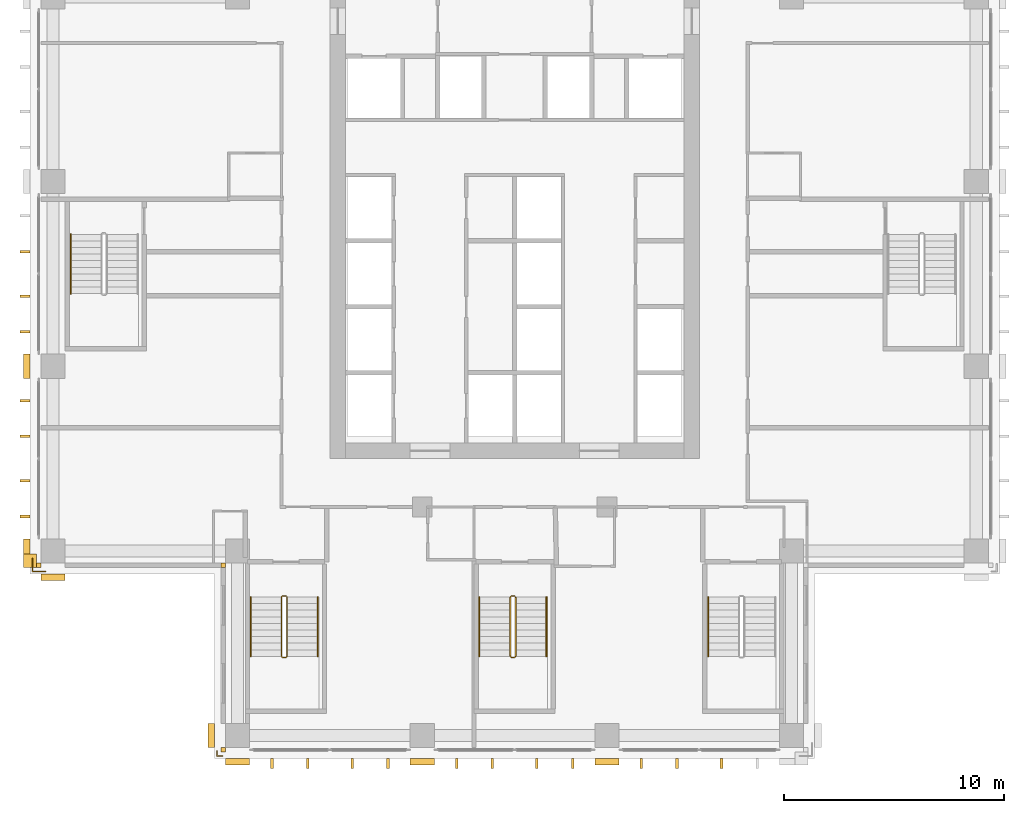
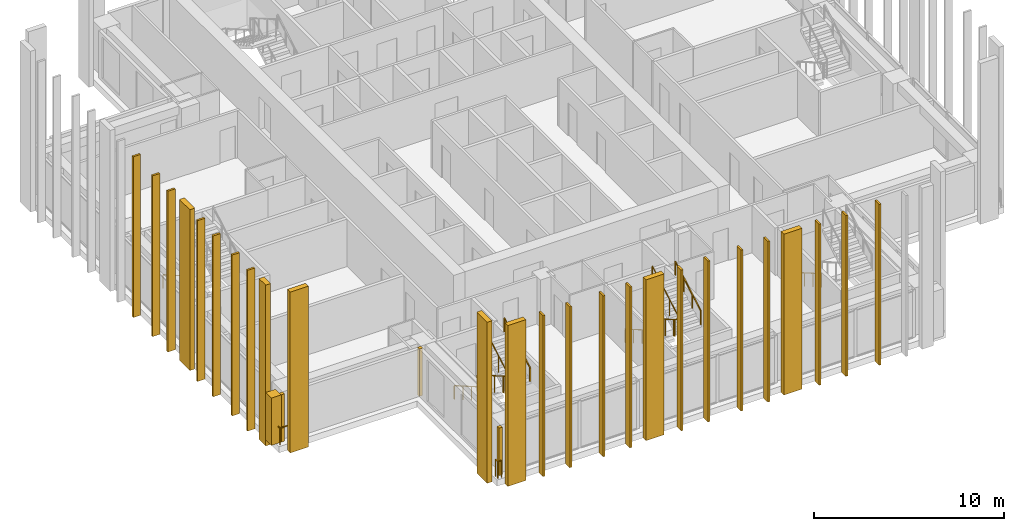
# One storey, part 14 of 16: 29 coverings, 10 railings.
"""IFC4 building model written with IfcOpenShell, lengths in metres."""

from ifc_helpers import new_model, si_unit, direction, frame, origin, origin_2d, place, context, subcontext, project, spatial, polyline, rectangle, outline, extrude, material, layer, layer_set, type_object, element, save


model = new_model("IFC4")

# Units and contexts
model_context = context("Model", 3, precision=1e-05, world=origin(), true_north=direction((0.0, 1.0)))
body_context = subcontext(model_context, "Body", "Model", "MODEL_VIEW")
ifc_project = project(units=[si_unit("LENGTHUNIT", "METRE"), si_unit("AREAUNIT", "SQUARE_METRE"), si_unit("VOLUMEUNIT", "CUBIC_METRE"), si_unit("PLANEANGLEUNIT", "RADIAN"), si_unit("MASSUNIT", "GRAM", prefix="KILO")], contexts=[model_context])

# Site, building, storey
site_placement = place(None, origin())
site = spatial("IfcSite", under=ifc_project, at=site_placement, CompositionType="ELEMENT")
building_placement = place(site_placement, origin())
building = spatial("IfcBuilding", under=site, at=building_placement, Name="Vermilion Ogive Tower", CompositionType="ELEMENT")
storey_placement = place(building_placement, frame((0.0, 0.0, 133.10009765625)))
storey = spatial("IfcBuildingStorey", under=building, at=storey_placement, Name="L33", CompositionType="ELEMENT", Elevation=133.10009765625)

# Coverings
ifc_material_1 = material(Name="Glazed ceramic screen")
ifc_layer = layer(ifc_material_1, 0.14990234375)
ifc_layer_set = layer_set([ifc_layer], Name="Ceramic solar screen fin")
covering_type_1 = type_object("IfcCoveringType", Name="Ceramic solar screen fin", PredefinedType="CLADDING", material=ifc_layer_set)
covering_1_placement = place(storey_placement, frame((0.0, 0.0, -0.400146484375)))
element("IfcCovering", 1, at=covering_1_placement, inside=storey, type_object=covering_type_1, Name="Solar screen blade S971", PredefinedType="CLADDING", context=body_context, shape_type="SweptSolid", body=[
    extrude(outline(polyline([(-11.097412109375, -22.5), (-10.9775390625, -22.5), (-10.9775390625, -22.050048828125), (-11.097412109375, -22.050048828125), (-11.097412109375, -22.5)])), origin(), (0.0, 0.0, 1.0), 10.35009765625),
])
covering_2_placement = place(storey_placement, frame((0.0, 0.0, -0.400146484375)))
element("IfcCovering", 2, at=covering_2_placement, inside=storey, type_object=covering_type_1, Name="Solar screen blade S972", PredefinedType="CLADDING", context=body_context, shape_type="SweptSolid", body=[
    extrude(outline(polyline([(-9.472412109375, -22.5), (-9.3525390625, -22.5), (-9.3525390625, -22.050048828125), (-9.472412109375, -22.050048828125), (-9.472412109375, -22.5)])), origin(), (0.0, 0.0, 1.0), 10.35009765625),
])
covering_3_placement = place(storey_placement, frame((0.0, 0.0, -0.400146484375)))
element("IfcCovering", 3, at=covering_3_placement, inside=storey, type_object=covering_type_1, Name="Solar screen blade S981", PredefinedType="CLADDING", context=body_context, shape_type="SweptSolid", body=[
    extrude(outline(polyline([(-7.447509765625, -22.5), (-7.327392578125, -22.5), (-7.327392578125, -22.050048828125), (-7.447509765625, -22.050048828125), (-7.447509765625, -22.5)])), origin(), (0.0, 0.0, 1.0), 10.35009765625),
])
covering_4_placement = place(storey_placement, frame((0.0, 0.0, -0.400146484375)))
element("IfcCovering", 4, at=covering_4_placement, inside=storey, type_object=covering_type_1, Name="Solar screen blade S982", PredefinedType="CLADDING", context=body_context, shape_type="SweptSolid", body=[
    extrude(outline(polyline([(-5.822509765625, -22.5), (-5.702392578125, -22.5), (-5.702392578125, -22.050048828125), (-5.822509765625, -22.050048828125), (-5.822509765625, -22.5)])), origin(), (0.0, 0.0, 1.0), 10.35009765625),
])
covering_5_placement = place(storey_placement, frame((0.0, 0.0, -0.400146484375)))
element("IfcCovering", 5, at=covering_5_placement, inside=storey, type_object=covering_type_1, Name="Solar screen blade S991", PredefinedType="CLADDING", context=body_context, shape_type="SweptSolid", body=[
    extrude(outline(polyline([(-2.697509765625, -22.5), (-2.577392578125, -22.5), (-2.577392578125, -22.050048828125), (-2.697509765625, -22.050048828125), (-2.697509765625, -22.5)])), origin(), (0.0, 0.0, 1.0), 10.35009765625),
])
covering_6_placement = place(storey_placement, frame((0.0, 0.0, -0.400146484375)))
element("IfcCovering", 6, at=covering_6_placement, inside=storey, type_object=covering_type_1, Name="Solar screen blade S992", PredefinedType="CLADDING", context=body_context, shape_type="SweptSolid", body=[
    extrude(outline(polyline([(-1.072509765625, -22.5), (-0.952392578125, -22.5), (-0.952392578125, -22.050048828125), (-1.072509765625, -22.050048828125), (-1.072509765625, -22.5)])), origin(), (0.0, 0.0, 1.0), 10.35009765625),
])
covering_7_placement = place(storey_placement, frame((0.0, 0.0, -0.400146484375)))
element("IfcCovering", 7, at=covering_7_placement, inside=storey, type_object=covering_type_1, Name="Solar screen blade S001", PredefinedType="CLADDING", context=body_context, shape_type="SweptSolid", body=[
    extrude(outline(polyline([(0.952392578125, -22.5), (1.072509765625, -22.5), (1.072509765625, -22.050048828125), (0.952392578125, -22.050048828125), (0.952392578125, -22.5)])), origin(), (0.0, 0.0, 1.0), 10.35009765625),
])
covering_8_placement = place(storey_placement, frame((0.0, 0.0, -0.400146484375)))
element("IfcCovering", 8, at=covering_8_placement, inside=storey, type_object=covering_type_1, Name="Solar screen blade S002", PredefinedType="CLADDING", context=body_context, shape_type="SweptSolid", body=[
    extrude(outline(polyline([(2.577392578125, -22.5), (2.697509765625, -22.5), (2.697509765625, -22.050048828125), (2.577392578125, -22.050048828125), (2.577392578125, -22.5)])), origin(), (0.0, 0.0, 1.0), 10.35009765625),
])
covering_9_placement = place(storey_placement, frame((0.0, 0.0, -0.400146484375)))
element("IfcCovering", 9, at=covering_9_placement, inside=storey, type_object=covering_type_1, Name="Solar screen blade S011", PredefinedType="CLADDING", context=body_context, shape_type="SweptSolid", body=[
    extrude(outline(polyline([(5.702392578125, -22.5), (5.822509765625, -22.5), (5.822509765625, -22.050048828125), (5.702392578125, -22.050048828125), (5.702392578125, -22.5)])), origin(), (0.0, 0.0, 1.0), 10.35009765625),
])
covering_10_placement = place(storey_placement, frame((0.0, 0.0, -0.400146484375)))
element("IfcCovering", 10, at=covering_10_placement, inside=storey, type_object=covering_type_1, Name="Solar screen blade S012", PredefinedType="CLADDING", context=body_context, shape_type="SweptSolid", body=[
    extrude(outline(polyline([(7.327392578125, -22.5), (7.447509765625, -22.5), (7.447509765625, -22.050048828125), (7.327392578125, -22.050048828125), (7.327392578125, -22.5)])), origin(), (0.0, 0.0, 1.0), 10.35009765625),
])
covering_11_placement = place(storey_placement, frame((0.0, 0.0, -0.400146484375)))
element("IfcCovering", 11, at=covering_11_placement, inside=storey, type_object=covering_type_1, Name="Solar screen blade S021", PredefinedType="CLADDING", context=body_context, shape_type="SweptSolid", body=[
    extrude(outline(polyline([(9.3525390625, -22.5), (9.472412109375, -22.5), (9.472412109375, -22.050048828125), (9.3525390625, -22.050048828125), (9.3525390625, -22.5)])), origin(), (0.0, 0.0, 1.0), 10.35009765625),
])
covering_12_placement = place(storey_placement, frame((0.0, 0.0, -0.400146484375)))
element("IfcCovering", 12, at=covering_12_placement, inside=storey, type_object=covering_type_1, Name="Solar screen blade W991", PredefinedType="CLADDING", context=body_context, shape_type="SweptSolid", body=[
    extrude(outline(polyline([(-22.5, -0.952392578125), (-22.5, -1.072509765625), (-22.050048828125, -1.072509765625), (-22.050048828125, -0.952392578125), (-22.5, -0.952392578125)])), origin(), (0.0, 0.0, 1.0), 10.35009765625),
])
covering_13_placement = place(storey_placement, frame((0.0, 0.0, -0.400146484375)))
element("IfcCovering", 13, at=covering_13_placement, inside=storey, type_object=covering_type_1, Name="Solar screen blade W992", PredefinedType="CLADDING", context=body_context, shape_type="SweptSolid", body=[
    extrude(outline(polyline([(-22.5, -2.577392578125), (-22.5, -2.697509765625), (-22.050048828125, -2.697509765625), (-22.050048828125, -2.577392578125), (-22.5, -2.577392578125)])), origin(), (0.0, 0.0, 1.0), 10.35009765625),
])
covering_14_placement = place(storey_placement, frame((0.0, 0.0, -0.400146484375)))
element("IfcCovering", 14, at=covering_14_placement, inside=storey, type_object=covering_type_1, Name="Solar screen blade W002", PredefinedType="CLADDING", context=body_context, shape_type="SweptSolid", body=[
    extrude(outline(polyline([(-22.5, 1.072509765625), (-22.5, 0.952392578125), (-22.050048828125, 0.952392578125), (-22.050048828125, 1.072509765625), (-22.5, 1.072509765625)])), origin(), (0.0, 0.0, 1.0), 10.35009765625),
])
covering_15_placement = place(storey_placement, frame((0.0, 0.0, -0.400146484375)))
element("IfcCovering", 15, at=covering_15_placement, inside=storey, type_object=covering_type_1, Name="Solar screen blade W971", PredefinedType="CLADDING", context=body_context, shape_type="SweptSolid", body=[
    extrude(outline(polyline([(-22.5, -9.3525390625), (-22.5, -9.472412109375), (-22.050048828125, -9.472412109375), (-22.050048828125, -9.3525390625), (-22.5, -9.3525390625)])), origin(), (0.0, 0.0, 1.0), 10.35009765625),
])
covering_16_placement = place(storey_placement, frame((0.0, 0.0, -0.400146484375)))
element("IfcCovering", 16, at=covering_16_placement, inside=storey, type_object=covering_type_1, Name="Solar screen blade W972", PredefinedType="CLADDING", context=body_context, shape_type="SweptSolid", body=[
    extrude(outline(polyline([(-22.5, -10.9775390625), (-22.5, -11.097412109375), (-22.050048828125, -11.097412109375), (-22.050048828125, -10.9775390625), (-22.5, -10.9775390625)])), origin(), (0.0, 0.0, 1.0), 10.35009765625),
])
covering_17_placement = place(storey_placement, frame((0.0, 0.0, -0.400146484375)))
element("IfcCovering", 17, at=covering_17_placement, inside=storey, type_object=covering_type_1, Name="Solar screen blade W981", PredefinedType="CLADDING", context=body_context, shape_type="SweptSolid", body=[
    extrude(outline(polyline([(-22.5, -5.702392578125), (-22.5, -5.822509765625), (-22.050048828125, -5.822509765625), (-22.050048828125, -5.702392578125), (-22.5, -5.702392578125)])), origin(), (0.0, 0.0, 1.0), 10.35009765625),
])
covering_18_placement = place(storey_placement, frame((0.0, 0.0, -0.400146484375)))
element("IfcCovering", 18, at=covering_18_placement, inside=storey, type_object=covering_type_1, Name="Solar screen blade W982", PredefinedType="CLADDING", context=body_context, shape_type="SweptSolid", body=[
    extrude(outline(polyline([(-22.5, -7.327392578125), (-22.5, -7.447509765625), (-22.050048828125, -7.447509765625), (-22.050048828125, -7.327392578125), (-22.5, -7.327392578125)])), origin(), (0.0, 0.0, 1.0), 10.35009765625),
])

# Railings
ifc_material_2 = material(Name="Stainless steel", Category="steel")
railing_type_1 = type_object("IfcRailingType", Name="Slab edge guard SG1", PredefinedType="GUARDRAIL", material=ifc_material_2)
railing_1_placement = place(storey_placement, frame((-13.300048828125, -21.929931640625, 0.0)))
element("IfcRailing", 19, at=railing_1_placement, inside=storey, type_object=railing_type_1, Name="L33 slab corner guard", PredefinedType="GUARDRAIL", context=body_context, shape_type="SweptSolid", body=[
    extrude(rectangle(XDim=0.050048828125, YDim=0.050048828125, at=origin_2d()), frame((0.0, 0.0, 1.0751953125), z_axis=(-1.0, 0.0, 0.0), x_axis=(0.0, -1.0, 0.0)), (0.0, 0.0, 1.0), 0.22998046875),
    extrude(rectangle(XDim=0.050048828125, YDim=0.050048828125, at=origin_2d()), frame((-0.22998046875, 0.0, 1.0751953125), z_axis=(0.0, 1.0, 0.0), x_axis=(-1.0, 0.0, 0.0)), (0.0, 0.0, 1.0), 0.22998046875),
    extrude(rectangle(XDim=0.050048828125, YDim=0.050048828125, at=origin_2d()), origin(), (0.0, 0.0, 1.0), 1.050048828125),
    extrude(rectangle(XDim=0.050048828125, YDim=0.050048828125, at=origin_2d()), frame((-0.22998046875, 0.0, 0.0)), (0.0, 0.0, 1.0), 1.050048828125),
    extrude(rectangle(XDim=0.050048828125, YDim=0.050048828125, at=origin_2d()), frame((-0.22998046875, 0.22998046875, 0.0)), (0.0, 0.0, 1.0), 1.050048828125),
])
railing_2_placement = place(storey_placement, frame((-21.929931640625, -12.949951171875, 0.0)))
element("IfcRailing", 20, at=railing_2_placement, inside=storey, type_object=railing_type_1, Name="L33 slab corner guard", PredefinedType="GUARDRAIL", context=body_context, shape_type="SweptSolid", body=[
    extrude(rectangle(XDim=0.050048828125, YDim=0.050048828125, at=origin_2d()), frame((0.0, 0.0, 1.0751953125), z_axis=(0.0, -1.0, 0.0), x_axis=(1.0, 0.0, 0.0)), (0.0, 0.0, 1.0), 0.580078125),
    extrude(rectangle(XDim=0.050048828125, YDim=0.050048828125, at=origin_2d()), frame((0.0, -0.580078125, 1.0751953125), z_axis=(1.0, 0.0, 0.0), x_axis=(0.0, 1.0, 0.0)), (0.0, 0.0, 1.0), 0.579833984375),
    extrude(rectangle(XDim=0.050048828125, YDim=0.050048828125, at=origin_2d()), origin(), (0.0, 0.0, 1.0), 1.050048828125),
    extrude(rectangle(XDim=0.050048828125, YDim=0.050048828125, at=origin_2d()), frame((0.0, -0.580078125, 0.0)), (0.0, 0.0, 1.0), 1.050048828125),
    extrude(rectangle(XDim=0.050048828125, YDim=0.050048828125, at=origin_2d()), frame((0.579833984375, -0.580078125, 0.0)), (0.0, 0.0, 1.0), 1.050048828125),
])
ifc_material_3 = material(Name="Steel S355 painted", Category="steel")
railing_type_2 = type_object("IfcRailingType", Name="Stair guard 1100", PredefinedType="GUARDRAIL", material=ifc_material_3)
railing_3_placement = place(storey_placement, frame((-10.39990234375, -14.64990234375, 0.0)))
element("IfcRailing", 21, at=railing_3_placement, inside=storey, type_object=railing_type_2, Name="L33 ST3 stair guard 4", PredefinedType="GUARDRAIL", context=body_context, shape_type="SweptSolid", body=[
    extrude(rectangle(XDim=0.048095703125, YDim=0.048095703125, at=origin_2d()), frame((0.0, 0.0, 1.076171875), z_axis=(-1.0, 0.0, 0.0), x_axis=(0.0, -1.0, 0.0)), (0.0, 0.0, 1.0), 0.150146484375),
    extrude(rectangle(XDim=0.048095703125, YDim=0.048095703125, at=origin_2d()), frame((-0.150146484375, 0.0, 1.076171875), z_axis=(-0.268603158521, -0.268603158521, 0.925043072762), x_axis=(0.707106781187, -0.707106781187, 0.0)), (0.0, 0.0, 1.0), 0.186279296875),
    extrude(rectangle(XDim=0.048095703125, YDim=0.048095703125, at=origin_2d()), frame((-0.2001953125, -0.050048828125, 1.24853515625), z_axis=(0.0, -0.866903762492, 0.498475542607), x_axis=(1.0, 0.0, 0.0)), (0.0, 0.0, 1.0), 3.114501953125),
    extrude(rectangle(XDim=0.048095703125, YDim=0.048095703125, at=origin_2d()), frame((-0.2001953125, -2.75, 2.80078125), z_axis=(0.707106781187, -0.707106781187, 0.0), x_axis=(0.707106781187, 0.707106781187, 0.0)), (0.0, 0.0, 1.0), 0.07080078125),
    extrude(rectangle(XDim=0.048095703125, YDim=0.048095703125, at=origin_2d()), frame((-0.150146484375, -2.800048828125, 2.80078125), z_axis=(1.0, 0.0, 0.0), x_axis=(0.0, 1.0, 0.0)), (0.0, 0.0, 1.0), 0.150146484375),
    extrude(rectangle(XDim=0.048095703125, YDim=0.048095703125, at=origin_2d()), frame((0.0, -2.800048828125, 2.80078125), z_axis=(0.267062837333, 0.268371968888, 0.925556009775), x_axis=(-0.708833529934, 0.705375805398, 0.0)), (0.0, 0.0, 1.0), 0.1865234375),
    extrude(rectangle(XDim=0.048095703125, YDim=0.048095703125, at=origin_2d()), frame((0.0498046875, -2.75, 2.9736328125), z_axis=(0.0, 0.866903762492, 0.498475542607), x_axis=(-1.0, 0.0, 0.0)), (0.0, 0.0, 1.0), 3.114501953125),
    extrude(rectangle(XDim=0.0419921875, YDim=0.0419921875, at=origin_2d()), origin(), (0.0, 0.0, 1.0), 1.052001953125),
    extrude(rectangle(XDim=0.0419921875, YDim=0.0419921875, at=origin_2d()), frame((-0.150146484375, 0.0, 0.0)), (0.0, 0.0, 1.0), 1.052001953125),
    extrude(rectangle(XDim=0.0419921875, YDim=0.0419921875, at=origin_2d()), frame((-0.2001953125, -0.050048828125, 0.17236328125)), (0.0, 0.0, 1.0), 1.052001953125),
    extrude(rectangle(XDim=0.0419921875, YDim=0.0419921875, at=origin_2d()), frame((-0.2001953125, -0.949951171875, 0.68994140625)), (0.0, 0.0, 1.0), 1.052001953125),
    extrude(rectangle(XDim=0.0419921875, YDim=0.0419921875, at=origin_2d()), frame((-0.2001953125, -1.85009765625, 1.207275390625)), (0.0, 0.0, 1.0), 1.052001953125),
    extrude(rectangle(XDim=0.0419921875, YDim=0.0419921875, at=origin_2d()), frame((-0.2001953125, -2.75, 1.724853515625)), (0.0, 0.0, 1.0), 1.052001953125),
    extrude(rectangle(XDim=0.0419921875, YDim=0.0419921875, at=origin_2d()), frame((-0.150146484375, -2.800048828125, 1.724853515625)), (0.0, 0.0, 1.0), 1.052001953125),
    extrude(rectangle(XDim=0.0419921875, YDim=0.0419921875, at=origin_2d()), frame((0.0, -2.800048828125, 1.724853515625)), (0.0, 0.0, 1.0), 1.052001953125),
    extrude(rectangle(XDim=0.0419921875, YDim=0.0419921875, at=origin_2d()), frame((0.0498046875, -2.75, 1.8974609375)), (0.0, 0.0, 1.0), 1.052001953125),
    extrude(rectangle(XDim=0.0419921875, YDim=0.0419921875, at=origin_2d()), frame((0.0498046875, -1.85009765625, 2.4150390625)), (0.0, 0.0, 1.0), 1.052001953125),
    extrude(rectangle(XDim=0.0419921875, YDim=0.0419921875, at=origin_2d()), frame((0.0498046875, -0.949951171875, 2.932373046875)), (0.0, 0.0, 1.0), 1.052001953125),
    extrude(rectangle(XDim=0.0419921875, YDim=0.0419921875, at=origin_2d()), frame((0.0498046875, -0.050048828125, 3.449951171875)), (0.0, 0.0, 1.0), 1.052001953125),
])
railing_4_placement = place(storey_placement, frame((0.0, -14.64990234375, 0.0)))
element("IfcRailing", 22, at=railing_4_placement, inside=storey, type_object=railing_type_2, Name="L33 ST4 stair guard 4", PredefinedType="GUARDRAIL", context=body_context, shape_type="SweptSolid", body=[
    extrude(rectangle(XDim=0.048095703125, YDim=0.048095703125, at=origin_2d()), frame((0.0, 0.0, 1.076171875), z_axis=(-1.0, 0.0, 0.0), x_axis=(0.0, -1.0, 0.0)), (0.0, 0.0, 1.0), 0.14990234375),
    extrude(rectangle(XDim=0.048095703125, YDim=0.048095703125, at=origin_2d()), frame((-0.14990234375, 0.0, 1.076171875), z_axis=(-0.268603158521, -0.268603158521, 0.925043072762), x_axis=(0.707106781187, -0.707106781187, 0.0)), (0.0, 0.0, 1.0), 0.186279296875),
    extrude(rectangle(XDim=0.048095703125, YDim=0.048095703125, at=origin_2d()), frame((-0.199951171875, -0.050048828125, 1.24853515625), z_axis=(0.0, -0.866903762492, 0.498475542607), x_axis=(1.0, 0.0, 0.0)), (0.0, 0.0, 1.0), 3.114501953125),
    extrude(rectangle(XDim=0.048095703125, YDim=0.048095703125, at=origin_2d()), frame((-0.199951171875, -2.75, 2.80078125), z_axis=(0.707106781187, -0.707106781187, 0.0), x_axis=(0.707106781187, 0.707106781187, 0.0)), (0.0, 0.0, 1.0), 0.07080078125),
    extrude(rectangle(XDim=0.048095703125, YDim=0.048095703125, at=origin_2d()), frame((-0.14990234375, -2.800048828125, 2.80078125), z_axis=(1.0, 0.0, 0.0), x_axis=(0.0, 1.0, 0.0)), (0.0, 0.0, 1.0), 0.14990234375),
    extrude(rectangle(XDim=0.048095703125, YDim=0.048095703125, at=origin_2d()), frame((0.0, -2.800048828125, 2.80078125), z_axis=(0.268277960024, 0.268277960024, 0.925231793839), x_axis=(-0.707106781187, 0.707106781187, 0.0)), (0.0, 0.0, 1.0), 0.1865234375),
    extrude(rectangle(XDim=0.048095703125, YDim=0.048095703125, at=origin_2d()), frame((0.050048828125, -2.75, 2.9736328125), z_axis=(0.0, 0.866903762492, 0.498475542607), x_axis=(-1.0, 0.0, 0.0)), (0.0, 0.0, 1.0), 3.114501953125),
    extrude(rectangle(XDim=0.0419921875, YDim=0.0419921875, at=origin_2d()), origin(), (0.0, 0.0, 1.0), 1.052001953125),
    extrude(rectangle(XDim=0.0419921875, YDim=0.0419921875, at=origin_2d()), frame((-0.14990234375, 0.0, 0.0)), (0.0, 0.0, 1.0), 1.052001953125),
    extrude(rectangle(XDim=0.0419921875, YDim=0.0419921875, at=origin_2d()), frame((-0.199951171875, -0.050048828125, 0.17236328125)), (0.0, 0.0, 1.0), 1.052001953125),
    extrude(rectangle(XDim=0.0419921875, YDim=0.0419921875, at=origin_2d()), frame((-0.199951171875, -0.949951171875, 0.68994140625)), (0.0, 0.0, 1.0), 1.052001953125),
    extrude(rectangle(XDim=0.0419921875, YDim=0.0419921875, at=origin_2d()), frame((-0.199951171875, -1.85009765625, 1.207275390625)), (0.0, 0.0, 1.0), 1.052001953125),
    extrude(rectangle(XDim=0.0419921875, YDim=0.0419921875, at=origin_2d()), frame((-0.199951171875, -2.75, 1.724853515625)), (0.0, 0.0, 1.0), 1.052001953125),
    extrude(rectangle(XDim=0.0419921875, YDim=0.0419921875, at=origin_2d()), frame((-0.14990234375, -2.800048828125, 1.724853515625)), (0.0, 0.0, 1.0), 1.052001953125),
    extrude(rectangle(XDim=0.0419921875, YDim=0.0419921875, at=origin_2d()), frame((0.0, -2.800048828125, 1.724853515625)), (0.0, 0.0, 1.0), 1.052001953125),
    extrude(rectangle(XDim=0.0419921875, YDim=0.0419921875, at=origin_2d()), frame((0.050048828125, -2.75, 1.8974609375)), (0.0, 0.0, 1.0), 1.052001953125),
    extrude(rectangle(XDim=0.0419921875, YDim=0.0419921875, at=origin_2d()), frame((0.050048828125, -1.85009765625, 2.4150390625)), (0.0, 0.0, 1.0), 1.052001953125),
    extrude(rectangle(XDim=0.0419921875, YDim=0.0419921875, at=origin_2d()), frame((0.050048828125, -0.949951171875, 2.932373046875)), (0.0, 0.0, 1.0), 1.052001953125),
    extrude(rectangle(XDim=0.0419921875, YDim=0.0419921875, at=origin_2d()), frame((0.050048828125, -0.050048828125, 3.449951171875)), (0.0, 0.0, 1.0), 1.052001953125),
])
ifc_material_4 = material(Name="Stainless steel", Category="steel")
railing_type_3 = type_object("IfcRailingType", Name="Stair handrail 900", PredefinedType="HANDRAIL", material=ifc_material_4)
railing_5_placement = place(storey_placement, frame((-12.0, -14.699951171875, 0.17236328125)))
element("IfcRailing", 23, at=railing_5_placement, inside=storey, type_object=railing_type_3, Name="L33 ST3 stair handrail 1", PredefinedType="HANDRAIL", context=body_context, shape_type="SweptSolid", body=[
    extrude(rectangle(XDim=0.048095703125, YDim=0.048095703125, at=origin_2d()), frame((0.0, 0.0, 0.8759765625), z_axis=(0.0, -0.866903762492, 0.498475542607), x_axis=(1.0, 0.0, 0.0)), (0.0, 0.0, 1.0), 3.114501953125),
    extrude(rectangle(XDim=0.0419921875, YDim=0.0419921875, at=origin_2d()), origin(), (0.0, 0.0, 1.0), 0.851806640625),
    extrude(rectangle(XDim=0.0419921875, YDim=0.0419921875, at=origin_2d()), frame((0.0, -0.89990234375, 0.517578125)), (0.0, 0.0, 1.0), 0.851806640625),
    extrude(rectangle(XDim=0.0419921875, YDim=0.0419921875, at=origin_2d()), frame((0.0, -1.800048828125, 1.034912109375)), (0.0, 0.0, 1.0), 0.851806640625),
    extrude(rectangle(XDim=0.0419921875, YDim=0.0419921875, at=origin_2d()), frame((0.0, -2.699951171875, 1.552490234375)), (0.0, 0.0, 1.0), 0.851806640625),
])
railing_6_placement = place(storey_placement, frame((-8.949951171875, -17.39990234375, 1.8974609375)))
element("IfcRailing", 24, at=railing_6_placement, inside=storey, type_object=railing_type_3, Name="L33 ST3 stair handrail 2", PredefinedType="HANDRAIL", context=body_context, shape_type="SweptSolid", body=[
    extrude(rectangle(XDim=0.048095703125, YDim=0.048095703125, at=origin_2d()), frame((0.0, 0.0, 0.8759765625), z_axis=(0.0, 0.866903762492, 0.498475542607), x_axis=(-1.0, 0.0, 0.0)), (0.0, 0.0, 1.0), 3.114501953125),
    extrude(rectangle(XDim=0.0419921875, YDim=0.0419921875, at=origin_2d()), origin(), (0.0, 0.0, 1.0), 0.851806640625),
    extrude(rectangle(XDim=0.0419921875, YDim=0.0419921875, at=origin_2d()), frame((0.0, 0.89990234375, 0.517578125)), (0.0, 0.0, 1.0), 0.851806640625),
    extrude(rectangle(XDim=0.0419921875, YDim=0.0419921875, at=origin_2d()), frame((0.0, 1.800048828125, 1.034912109375)), (0.0, 0.0, 1.0), 0.851806640625),
    extrude(rectangle(XDim=0.0419921875, YDim=0.0419921875, at=origin_2d()), frame((0.0, 2.699951171875, 1.552490234375)), (0.0, 0.0, 1.0), 0.851806640625),
])
railing_7_placement = place(storey_placement, frame((-1.60009765625, -14.699951171875, 0.17236328125)))
element("IfcRailing", 25, at=railing_7_placement, inside=storey, type_object=railing_type_3, Name="L33 ST4 stair handrail 1", PredefinedType="HANDRAIL", context=body_context, shape_type="SweptSolid", body=[
    extrude(rectangle(XDim=0.048095703125, YDim=0.048095703125, at=origin_2d()), frame((0.0, 0.0, 0.8759765625), z_axis=(0.0, -0.866903762492, 0.498475542607), x_axis=(1.0, 0.0, 0.0)), (0.0, 0.0, 1.0), 3.114501953125),
    extrude(rectangle(XDim=0.0419921875, YDim=0.0419921875, at=origin_2d()), origin(), (0.0, 0.0, 1.0), 0.851806640625),
    extrude(rectangle(XDim=0.0419921875, YDim=0.0419921875, at=origin_2d()), frame((0.0, -0.89990234375, 0.517578125)), (0.0, 0.0, 1.0), 0.851806640625),
    extrude(rectangle(XDim=0.0419921875, YDim=0.0419921875, at=origin_2d()), frame((0.0, -1.800048828125, 1.034912109375)), (0.0, 0.0, 1.0), 0.851806640625),
    extrude(rectangle(XDim=0.0419921875, YDim=0.0419921875, at=origin_2d()), frame((0.0, -2.699951171875, 1.552490234375)), (0.0, 0.0, 1.0), 0.851806640625),
])
railing_8_placement = place(storey_placement, frame((1.449951171875, -17.39990234375, 1.8974609375)))
element("IfcRailing", 26, at=railing_8_placement, inside=storey, type_object=railing_type_3, Name="L33 ST4 stair handrail 2", PredefinedType="HANDRAIL", context=body_context, shape_type="SweptSolid", body=[
    extrude(rectangle(XDim=0.048095703125, YDim=0.048095703125, at=origin_2d()), frame((0.0, 0.0, 0.8759765625), z_axis=(0.0, 0.866903762492, 0.498475542607), x_axis=(-1.0, 0.0, 0.0)), (0.0, 0.0, 1.0), 3.114501953125),
    extrude(rectangle(XDim=0.0419921875, YDim=0.0419921875, at=origin_2d()), origin(), (0.0, 0.0, 1.0), 0.851806640625),
    extrude(rectangle(XDim=0.0419921875, YDim=0.0419921875, at=origin_2d()), frame((0.0, 0.89990234375, 0.517578125)), (0.0, 0.0, 1.0), 0.851806640625),
    extrude(rectangle(XDim=0.0419921875, YDim=0.0419921875, at=origin_2d()), frame((0.0, 1.800048828125, 1.034912109375)), (0.0, 0.0, 1.0), 0.851806640625),
    extrude(rectangle(XDim=0.0419921875, YDim=0.0419921875, at=origin_2d()), frame((0.0, 2.699951171875, 1.552490234375)), (0.0, 0.0, 1.0), 0.851806640625),
])
for number, where, name in (
    (27, (8.800048828125, -14.699951171875, 0.17236328125), "L33 ST5 stair handrail 1"),
    (28, (-20.199951171875, 1.800048828125, 0.17236328125), "L33 ST9 stair handrail 1"),
):
    element("IfcRailing", number, at=place(storey_placement, frame(where)), inside=storey, type_object=railing_type_3, Name=name, PredefinedType="HANDRAIL", context=body_context, shape_type="SweptSolid", body=[
        extrude(rectangle(XDim=0.048095703125, YDim=0.048095703125, at=origin_2d()), frame((0.0, 0.0, 0.8759765625), z_axis=(0.0, -0.866903762492, 0.498475542607), x_axis=(1.0, 0.0, 0.0)), (0.0, 0.0, 1.0), 3.114501953125),
        extrude(rectangle(XDim=0.0419921875, YDim=0.0419921875, at=origin_2d()), origin(), (0.0, 0.0, 1.0), 0.851806640625),
        extrude(rectangle(XDim=0.0419921875, YDim=0.0419921875, at=origin_2d()), frame((0.0, -0.89990234375, 0.517578125)), (0.0, 0.0, 1.0), 0.851806640625),
        extrude(rectangle(XDim=0.0419921875, YDim=0.0419921875, at=origin_2d()), frame((0.0, -1.800048828125, 1.034912109375)), (0.0, 0.0, 1.0), 0.851806640625),
        extrude(rectangle(XDim=0.0419921875, YDim=0.0419921875, at=origin_2d()), frame((0.0, -2.699951171875, 1.552490234375)), (0.0, 0.0, 1.0), 0.851806640625),
    ])

# Coverings
ifc_material_5 = material(Name="Stone cladding", Category="masonry")
covering_type_2 = type_object("IfcCoveringType", Name="Stone corner buttress", PredefinedType="CLADDING", material=ifc_material_5)
covering_19_placement = place(storey_placement, origin())
element("IfcCovering", 29, at=covering_19_placement, inside=storey, type_object=covering_type_2, Name="Stone crease pier WK", PredefinedType="CLADDING", context=body_context, shape_type="SweptSolid", body=[
    extrude(outline(polyline([(-22.35009765625, -12.75), (-22.35009765625, -13.35009765625), (-21.75, -13.35009765625), (-21.75, -12.75), (-22.35009765625, -12.75)])), origin(), (0.0, 0.0, 1.0), 3.0498046875),
])
ifc_material_6 = material(Name="Stone cladding", Category="masonry")
covering_type_3 = type_object("IfcCoveringType", Name="Stone pier", PredefinedType="CLADDING", material=ifc_material_6)
covering_20_placement = place(storey_placement, origin())
element("IfcCovering", 30, at=covering_20_placement, inside=storey, type_object=covering_type_3, Name="Stone corner pier WE1", PredefinedType="CLADDING", context=body_context, shape_type="SweptSolid", body=[
    extrude(outline(polyline([(-21.75, -13.14990234375), (-21.550048828125, -13.14990234375), (-21.550048828125, -13.35009765625), (-21.75, -13.35009765625), (-21.75, -13.14990234375)])), origin(), (0.0, 0.0, 1.0), 3.0498046875),
])
covering_21_placement = place(storey_placement, origin())
element("IfcCovering", 31, at=covering_21_placement, inside=storey, type_object=covering_type_3, Name="Stone corner pier X7E1", PredefinedType="CLADDING", context=body_context, shape_type="SweptSolid", body=[
    extrude(outline(polyline([(-13.14990234375, -13.14990234375), (-13.14990234375, -13.35009765625), (-13.35009765625, -13.35009765625), (-13.35009765625, -13.14990234375), (-13.14990234375, -13.14990234375)])), origin(), (0.0, 0.0, 1.0), 3.0498046875),
])
covering_22_placement = place(storey_placement, origin())
element("IfcCovering", 32, at=covering_22_placement, inside=storey, type_object=covering_type_3, Name="Stone corner pier X8E1", PredefinedType="CLADDING", context=body_context, shape_type="SweptSolid", body=[
    extrude(outline(polyline([(-13.35009765625, -21.550048828125), (-13.14990234375, -21.550048828125), (-13.14990234375, -21.75), (-13.35009765625, -21.75), (-13.35009765625, -21.550048828125)])), origin(), (0.0, 0.0, 1.0), 3.0498046875),
])
covering_23_placement = place(storey_placement, frame((0.0, 0.0, -0.400146484375)))
element("IfcCovering", 33, at=covering_23_placement, inside=storey, type_object=covering_type_3, Name="Stone pier P+0042-210", PredefinedType="CLADDING", context=body_context, shape_type="SweptSolid", body=[
    extrude(outline(polyline([(4.75, -22.35009765625), (3.64990234375, -22.35009765625), (3.64990234375, -22.050048828125), (4.75, -22.050048828125), (4.75, -22.35009765625)])), origin(), (0.0, 0.0, 1.0), 10.35009765625),
])
covering_24_placement = place(storey_placement, frame((0.0, 0.0, -0.400146484375)))
element("IfcCovering", 34, at=covering_24_placement, inside=storey, type_object=covering_type_3, Name="Stone pier P-0042-210", PredefinedType="CLADDING", context=body_context, shape_type="SweptSolid", body=[
    extrude(outline(polyline([(-3.64990234375, -22.35009765625), (-4.75, -22.35009765625), (-4.75, -22.050048828125), (-3.64990234375, -22.050048828125), (-3.64990234375, -22.35009765625)])), origin(), (0.0, 0.0, 1.0), 10.35009765625),
])
covering_25_placement = place(storey_placement, frame((0.0, 0.0, -0.400146484375)))
element("IfcCovering", 35, at=covering_25_placement, inside=storey, type_object=covering_type_3, Name="Stone pier P-0126-210S", PredefinedType="CLADDING", context=body_context, shape_type="SweptSolid", body=[
    extrude(outline(polyline([(-12.050048828125, -22.35009765625), (-13.14990234375, -22.35009765625), (-13.14990234375, -22.050048828125), (-12.050048828125, -22.050048828125), (-12.050048828125, -22.35009765625)])), origin(), (0.0, 0.0, 1.0), 10.35009765625),
])
covering_26_placement = place(storey_placement, frame((0.0, 0.0, -0.400146484375)))
element("IfcCovering", 36, at=covering_26_placement, inside=storey, type_object=covering_type_3, Name="Stone pier P-0126-210X8", PredefinedType="CLADDING", context=body_context, shape_type="SweptSolid", body=[
    extrude(outline(polyline([(-13.949951171875, -20.449951171875), (-13.64990234375, -20.449951171875), (-13.64990234375, -21.550048828125), (-13.949951171875, -21.550048828125), (-13.949951171875, -20.449951171875)])), origin(), (0.0, 0.0, 1.0), 10.35009765625),
])
covering_27_placement = place(storey_placement, frame((0.0, 0.0, -0.400146484375)))
element("IfcCovering", 37, at=covering_27_placement, inside=storey, type_object=covering_type_3, Name="Stone pier P-0210-042", PredefinedType="CLADDING", context=body_context, shape_type="SweptSolid", body=[
    extrude(outline(polyline([(-22.35009765625, -4.75), (-22.35009765625, -3.64990234375), (-22.050048828125, -3.64990234375), (-22.050048828125, -4.75), (-22.35009765625, -4.75)])), origin(), (0.0, 0.0, 1.0), 10.35009765625),
])
covering_28_placement = place(storey_placement, frame((0.0, 0.0, -0.400146484375)))
element("IfcCovering", 38, at=covering_28_placement, inside=storey, type_object=covering_type_3, Name="Stone pier P-0210-126W", PredefinedType="CLADDING", context=body_context, shape_type="SweptSolid", body=[
    extrude(outline(polyline([(-22.35009765625, -12.050048828125), (-22.050048828125, -12.050048828125), (-22.050048828125, -12.75), (-22.35009765625, -12.75), (-22.35009765625, -12.050048828125)])), origin(), (0.0, 0.0, 1.0), 10.35009765625),
])
covering_29_placement = place(storey_placement, frame((0.0, 0.0, -0.400146484375)))
element("IfcCovering", 39, at=covering_29_placement, inside=storey, type_object=covering_type_3, Name="Stone pier P-0210-126X7", PredefinedType="CLADDING", context=body_context, shape_type="SweptSolid", body=[
    extrude(outline(polyline([(-21.550048828125, -13.949951171875), (-21.550048828125, -13.64990234375), (-20.449951171875, -13.64990234375), (-20.449951171875, -13.949951171875), (-21.550048828125, -13.949951171875)])), origin(), (0.0, 0.0, 1.0), 10.35009765625),
])

save(model, "model.ifc")
